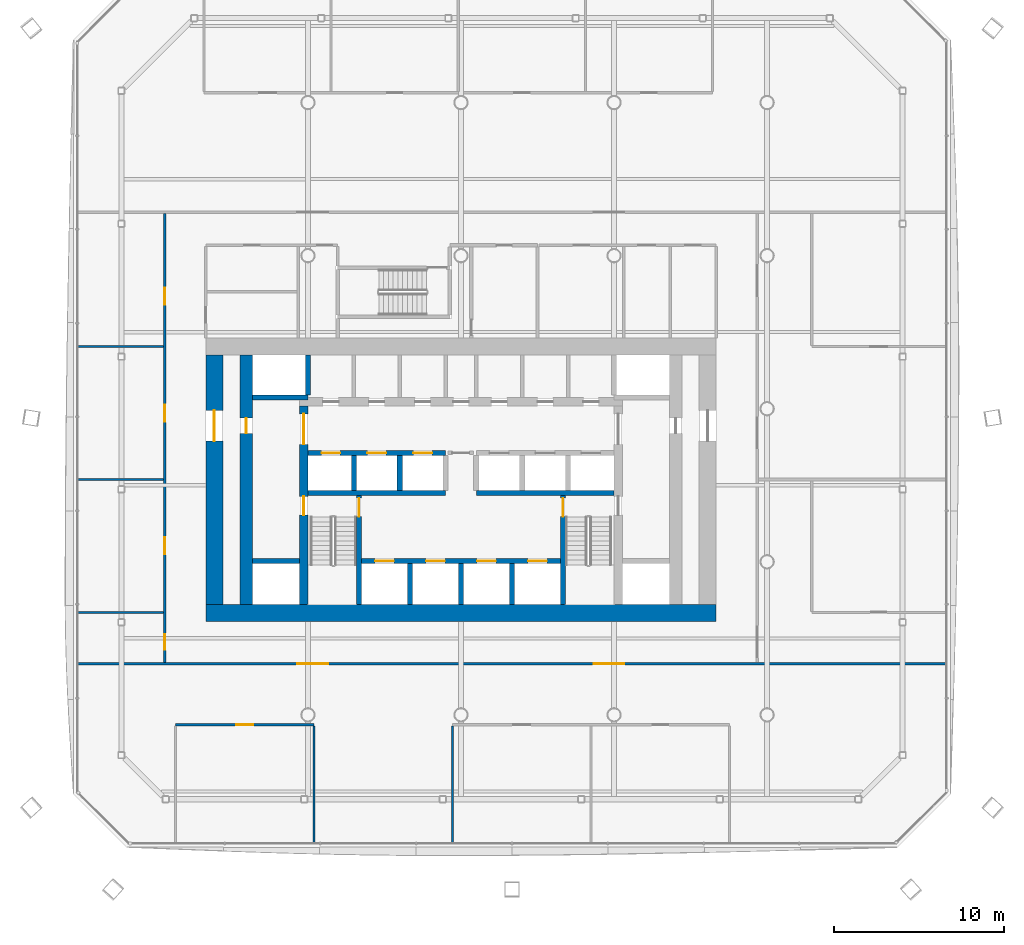
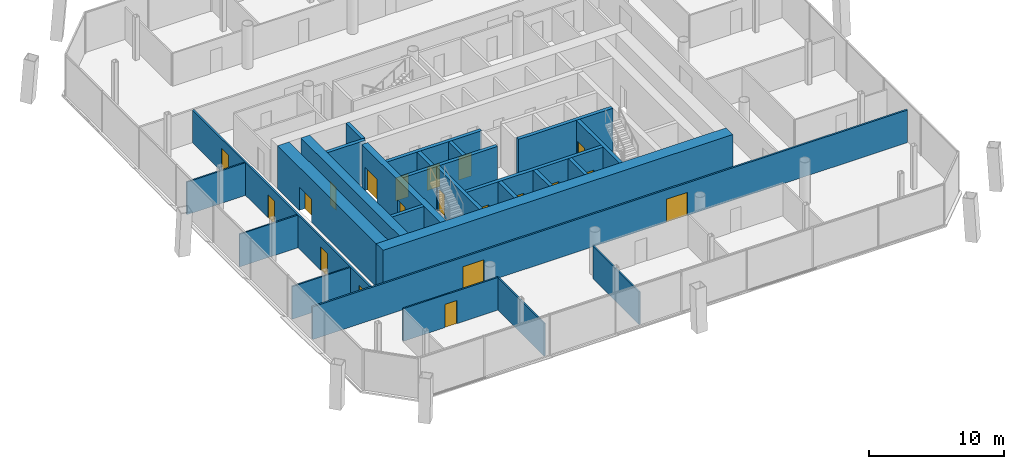
# One storey, part 12 of 20: 26 walls, 20 doors, 20 openings.
"""IFC4 building model written with IfcOpenShell, lengths in metres."""

from ifc_helpers import new_model, si_unit, direction, frame, frame_2d, origin, place, context, subcontext, project, spatial, rectangle, extrude, material, layer, layer_set, type_object, element, fill, save


model = new_model("IFC4")

# Units and contexts
model_context = context("Model", 3, precision=1e-05, world=origin(), true_north=direction((0.0, 1.0)))
body_context = subcontext(model_context, "Body", "Model", "MODEL_VIEW")
ifc_project = project(units=[si_unit("LENGTHUNIT", "METRE"), si_unit("AREAUNIT", "SQUARE_METRE"), si_unit("VOLUMEUNIT", "CUBIC_METRE"), si_unit("PLANEANGLEUNIT", "RADIAN"), si_unit("MASSUNIT", "GRAM", prefix="KILO")], contexts=[model_context])

# Site, building, storey
site_placement = place(None, origin())
site = spatial("IfcSite", under=ifc_project, at=site_placement, CompositionType="ELEMENT")
building_placement = place(site_placement, origin())
building = spatial("IfcBuilding", under=site, at=building_placement, Name="Tskaro Facet Tower", CompositionType="ELEMENT")
storey_placement = place(building_placement, frame((0.0, 0.0, 69.89990234375)))
storey = spatial("IfcBuildingStorey", under=building, at=storey_placement, Name="L16", CompositionType="ELEMENT", Elevation=69.89990234375)

# Wall
ifc_material_1 = material(Name="Concrete C60/75", Category="concrete")
ifc_layer_1 = layer(ifc_material_1, 0.300048828125, Name="Concrete C60/75")
ifc_layer_set_1 = layer_set([ifc_layer_1], Name="Concrete C60/75")
wall_type_1 = type_object("IfcWallType", Name="CORE-SHAFT", PredefinedType="SHEAR", material=ifc_layer_set_1)
wall_1_placement = place(storey_placement, frame((-12.25, -8.949951171875, 0.0), z_axis=(0.0, 0.0, 1.0), x_axis=(1.0, 0.0, 0.0)))
element("IfcWall", 1, at=wall_1_placement, inside=storey, type_object=wall_type_1, Name="Shaft wall W006", PredefinedType="SHEAR", context=body_context, shape_type="SweptSolid", body=[
    extrude(rectangle(XDim=2.75, YDim=0.300048828125, at=frame_2d((1.375, 0.0))), origin(), (0.0, 0.0, 1.0), 3.900146484375),
])

# Wall, openings, doors
wall_2_placement = place(storey_placement, frame((-5.85009765625, -8.949951171875, 0.0), z_axis=(0.0, 0.0, 1.0), x_axis=(1.0, 0.0, 0.0)))
wall_2 = element("IfcWall", 2, at=wall_2_placement, inside=storey, type_object=wall_type_1, Name="Shaft wall W007", PredefinedType="SHEAR", context=body_context, shape_type="SweptSolid", body=[
    extrude(rectangle(XDim=11.7001953125, YDim=0.300048828125, at=frame_2d((5.85009765625, 0.0))), origin(), (0.0, 0.0, 1.0), 3.900146484375),
])
opening_1_placement = place(wall_2_placement, frame((0.800048828125, 0.0, 0.0)))
opening_1 = element("IfcOpeningElement", 3, at=opening_1_placement, cuts=wall_2, Name="Opening LD-FF1", PredefinedType="OPENING", context=body_context, shape_type="SweptSolid", body=[
    extrude(rectangle(XDim=1.10009765625, YDim=2.10009765625, at=frame_2d((0.550048828125, 1.050048828125))), frame((0.0, 0.159912109375, 0.0), z_axis=(0.0, -1.0, 0.0), x_axis=(1.0, 0.0, 0.0)), (0.0, 0.0, 1.0), 0.320068359375),
])
opening_2_placement = place(wall_2_placement, frame((3.800048828125, 0.0, 0.0)))
opening_2 = element("IfcOpeningElement", 4, at=opening_2_placement, cuts=wall_2, Name="Opening LD-FF2", PredefinedType="OPENING", context=body_context, shape_type="SweptSolid", body=[
    extrude(rectangle(XDim=1.10009765625, YDim=2.10009765625, at=frame_2d((0.550048828125, 1.050048828125))), frame((0.0, 0.159912109375, 0.0), z_axis=(0.0, -1.0, 0.0), x_axis=(1.0, 0.0, 0.0)), (0.0, 0.0, 1.0), 0.320068359375),
])
opening_3_placement = place(wall_2_placement, frame((6.800048828125, 0.0, 0.0)))
opening_3 = element("IfcOpeningElement", 5, at=opening_3_placement, cuts=wall_2, Name="Opening LD-SV1", PredefinedType="OPENING", context=body_context, shape_type="SweptSolid", body=[
    extrude(rectangle(XDim=1.10009765625, YDim=2.10009765625, at=frame_2d((0.550048828125, 1.050048828125))), frame((0.0, 0.159912109375, 0.0), z_axis=(0.0, -1.0, 0.0), x_axis=(1.0, 0.0, 0.0)), (0.0, 0.0, 1.0), 0.320068359375),
])
opening_4_placement = place(wall_2_placement, frame((9.800048828125, 0.0, 0.0)))
opening_4 = element("IfcOpeningElement", 6, at=opening_4_placement, cuts=wall_2, Name="Opening LD-SV2", PredefinedType="OPENING", context=body_context, shape_type="SweptSolid", body=[
    extrude(rectangle(XDim=1.10009765625, YDim=2.10009765625, at=frame_2d((0.550048828125, 1.050048828125))), frame((0.0, 0.159912109375, 0.0), z_axis=(0.0, -1.0, 0.0), x_axis=(1.0, 0.0, 0.0)), (0.0, 0.0, 1.0), 0.320068359375),
])
ifc_material_2 = material(Name="Stainless steel", Category="steel")
door_type_1 = type_object("IfcDoorType", Name="D-LANDING", OperationType="NOTDEFINED", PredefinedType="DOOR", material=ifc_material_2)
door_1_placement = place(opening_1_placement, origin())
door_1 = element("IfcDoor", 7, at=door_1_placement, inside=storey, type_object=door_type_1, Name="Landing door FF1", OperationType="DOUBLE_DOOR_SLIDING", OverallHeight=2.10009765625, OverallWidth=1.10009765625, PredefinedType="DOOR", context=body_context, shape_type="SweptSolid", body=[
    extrude(rectangle(XDim=1.10009765625, YDim=2.10009765625, at=frame_2d((0.550048828125, 1.050048828125))), frame((0.0, 0.02490234375, 0.0), z_axis=(0.0, -1.0, 0.0), x_axis=(1.0, 0.0, 0.0)), (0.0, 0.0, 1.0), 0.050048828125),
])
fill(opening_1, door_1)
door_2_placement = place(opening_2_placement, origin())
door_2 = element("IfcDoor", 8, at=door_2_placement, inside=storey, type_object=door_type_1, Name="Landing door FF2", OperationType="DOUBLE_DOOR_SLIDING", OverallHeight=2.10009765625, OverallWidth=1.10009765625, PredefinedType="DOOR", context=body_context, shape_type="SweptSolid", body=[
    extrude(rectangle(XDim=1.10009765625, YDim=2.10009765625, at=frame_2d((0.550048828125, 1.050048828125))), frame((0.0, 0.02490234375, 0.0), z_axis=(0.0, -1.0, 0.0), x_axis=(1.0, 0.0, 0.0)), (0.0, 0.0, 1.0), 0.050048828125),
])
fill(opening_2, door_2)
door_3_placement = place(opening_3_placement, origin())
door_3 = element("IfcDoor", 9, at=door_3_placement, inside=storey, type_object=door_type_1, Name="Landing door SV1", OperationType="DOUBLE_DOOR_SLIDING", OverallHeight=2.10009765625, OverallWidth=1.10009765625, PredefinedType="DOOR", context=body_context, shape_type="SweptSolid", body=[
    extrude(rectangle(XDim=1.10009765625, YDim=2.10009765625, at=frame_2d((0.550048828125, 1.050048828125))), frame((0.0, 0.02490234375, 0.0), z_axis=(0.0, -1.0, 0.0), x_axis=(1.0, 0.0, 0.0)), (0.0, 0.0, 1.0), 0.050048828125),
])
fill(opening_3, door_3)
door_4_placement = place(opening_4_placement, origin())
door_4 = element("IfcDoor", 10, at=door_4_placement, inside=storey, type_object=door_type_1, Name="Landing door SV2", OperationType="DOUBLE_DOOR_SLIDING", OverallHeight=2.10009765625, OverallWidth=1.10009765625, PredefinedType="DOOR", context=body_context, shape_type="SweptSolid", body=[
    extrude(rectangle(XDim=1.10009765625, YDim=2.10009765625, at=frame_2d((0.550048828125, 1.050048828125))), frame((0.0, 0.02490234375, 0.0), z_axis=(0.0, -1.0, 0.0), x_axis=(1.0, 0.0, 0.0)), (0.0, 0.0, 1.0), 0.050048828125),
])
fill(opening_4, door_4)

# Walls
for number, where, z_axis, x_axis, name in (
    (11, (-9.0, -4.949951171875, 0.0), (0.0, 0.0, 1.0), (1.0, 0.0, 0.0), "Shaft wall W009"),
    (12, (0.89990234375, -4.949951171875, 0.0), (0.0, 0.0, 1.0), (1.0, 0.0, 0.0), "Shaft wall W010"),
):
    element("IfcWall", number, at=place(storey_placement, frame(where, z_axis=z_axis, x_axis=x_axis)), inside=storey, type_object=wall_type_1, Name=name, PredefinedType="SHEAR", context=body_context, shape_type="SweptSolid", body=[
        extrude(rectangle(XDim=8.10009765625, YDim=0.300048828125, at=frame_2d((4.050048828125, 0.0))), origin(), (0.0, 0.0, 1.0), 3.900146484375),
    ])

# Wall, openings, doors
wall_3_placement = place(storey_placement, frame((-9.0, -2.60009765625, 0.0), z_axis=(0.0, 0.0, 1.0), x_axis=(1.0, 0.0, 0.0)))
wall_3 = element("IfcWall", 13, at=wall_3_placement, inside=storey, type_object=wall_type_1, Name="Shaft wall W013", PredefinedType="SHEAR", context=body_context, shape_type="SweptSolid", body=[
    extrude(rectangle(XDim=8.10009765625, YDim=0.300048828125, at=frame_2d((4.050048828125, 0.0))), origin(), (0.0, 0.0, 1.0), 3.900146484375),
])
opening_5_placement = place(wall_3_placement, frame((0.800048828125, 0.0, 0.0)))
opening_5 = element("IfcOpeningElement", 14, at=opening_5_placement, cuts=wall_3, Name="Opening LD-LR1", PredefinedType="OPENING", context=body_context, shape_type="SweptSolid", body=[
    extrude(rectangle(XDim=1.10009765625, YDim=2.10009765625, at=frame_2d((0.550048828125, 1.050048828125))), frame((0.0, 0.159912109375, 0.0), z_axis=(0.0, -1.0, 0.0), x_axis=(1.0, 0.0, 0.0)), (0.0, 0.0, 1.0), 0.320068359375),
])
opening_6_placement = place(wall_3_placement, frame((3.5, 0.0, 0.0)))
opening_6 = element("IfcOpeningElement", 15, at=opening_6_placement, cuts=wall_3, Name="Opening LD-LR2", PredefinedType="OPENING", context=body_context, shape_type="SweptSolid", body=[
    extrude(rectangle(XDim=1.10009765625, YDim=2.10009765625, at=frame_2d((0.550048828125, 1.050048828125))), frame((0.0, 0.159912109375, 0.0), z_axis=(0.0, -1.0, 0.0), x_axis=(1.0, 0.0, 0.0)), (0.0, 0.0, 1.0), 0.320068359375),
])
opening_7_placement = place(wall_3_placement, frame((6.199951171875, 0.0, 0.0)))
opening_7 = element("IfcOpeningElement", 16, at=opening_7_placement, cuts=wall_3, Name="Opening LD-LR3", PredefinedType="OPENING", context=body_context, shape_type="SweptSolid", body=[
    extrude(rectangle(XDim=1.10009765625, YDim=2.10009765625, at=frame_2d((0.550048828125, 1.050048828125))), frame((0.0, 0.159912109375, 0.0), z_axis=(0.0, -1.0, 0.0), x_axis=(1.0, 0.0, 0.0)), (0.0, 0.0, 1.0), 0.320068359375),
])
door_5_placement = place(opening_5_placement, origin())
door_5 = element("IfcDoor", 17, at=door_5_placement, inside=storey, type_object=door_type_1, Name="Landing door LR1", OperationType="DOUBLE_DOOR_SLIDING", OverallHeight=2.10009765625, OverallWidth=1.10009765625, PredefinedType="DOOR", context=body_context, shape_type="SweptSolid", body=[
    extrude(rectangle(XDim=1.10009765625, YDim=2.10009765625, at=frame_2d((0.550048828125, 1.050048828125))), frame((0.0, 0.02490234375, 0.0), z_axis=(0.0, -1.0, 0.0), x_axis=(1.0, 0.0, 0.0)), (0.0, 0.0, 1.0), 0.050048828125),
])
fill(opening_5, door_5)
door_6_placement = place(opening_6_placement, origin())
door_6 = element("IfcDoor", 18, at=door_6_placement, inside=storey, type_object=door_type_1, Name="Landing door LR2", OperationType="DOUBLE_DOOR_SLIDING", OverallHeight=2.10009765625, OverallWidth=1.10009765625, PredefinedType="DOOR", context=body_context, shape_type="SweptSolid", body=[
    extrude(rectangle(XDim=1.10009765625, YDim=2.10009765625, at=frame_2d((0.550048828125, 1.050048828125))), frame((0.0, 0.02490234375, 0.0), z_axis=(0.0, -1.0, 0.0), x_axis=(1.0, 0.0, 0.0)), (0.0, 0.0, 1.0), 0.050048828125),
])
fill(opening_6, door_6)
door_7_placement = place(opening_7_placement, origin())
door_7 = element("IfcDoor", 19, at=door_7_placement, inside=storey, type_object=door_type_1, Name="Landing door LR3", OperationType="DOUBLE_DOOR_SLIDING", OverallHeight=2.10009765625, OverallWidth=1.10009765625, PredefinedType="DOOR", context=body_context, shape_type="SweptSolid", body=[
    extrude(rectangle(XDim=1.10009765625, YDim=2.10009765625, at=frame_2d((0.550048828125, 1.050048828125))), frame((0.0, 0.02490234375, 0.0), z_axis=(0.0, -1.0, 0.0), x_axis=(1.0, 0.0, 0.0)), (0.0, 0.0, 1.0), 0.050048828125),
])
fill(opening_7, door_7)

# Walls
wall_4_placement = place(storey_placement, frame((-9.0, 0.64990234375, 0.0), z_axis=(0.0, 0.0, 1.0), x_axis=(-1.0, 0.0, 0.0)))
element("IfcWall", 20, at=wall_4_placement, inside=storey, type_object=wall_type_1, Name="Shaft wall W016", PredefinedType="SHEAR", context=body_context, shape_type="SweptSolid", body=[
    extrude(rectangle(XDim=3.25, YDim=0.300048828125, at=frame_2d((1.625, 0.0))), origin(), (0.0, 0.0, 1.0), 3.900146484375),
])
wall_5_placement = place(storey_placement, frame((-9.0, 0.800048828125, 0.0), z_axis=(0.0, 0.0, 1.0), x_axis=(0.0, 1.0, 0.0)))
element("IfcWall", 21, at=wall_5_placement, inside=storey, type_object=wall_type_1, Name="Shaft wall W033", PredefinedType="SHEAR", context=body_context, shape_type="SweptSolid", body=[
    extrude(rectangle(XDim=2.349853515625, YDim=0.300048828125, at=frame_2d((1.1748046875, 0.0))), origin(), (0.0, 0.0, 1.0), 3.900146484375),
])
wall_6_placement = place(storey_placement, frame((-6.300048828125, -4.800048828125, 0.0), z_axis=(0.0, 0.0, 1.0), x_axis=(0.0, 1.0, 0.0)))
element("IfcWall", 22, at=wall_6_placement, inside=storey, type_object=wall_type_1, Name="Shaft wall W039", PredefinedType="SHEAR", context=body_context, shape_type="SweptSolid", body=[
    extrude(rectangle(XDim=2.050048828125, YDim=0.300048828125, at=frame_2d((1.02490234375, 0.0))), origin(), (0.0, 0.0, 1.0), 3.900146484375),
])

# Wall, opening, door
wall_7_placement = place(storey_placement, frame((-6.0, -11.5, 0.0), z_axis=(0.0, 0.0, 1.0), x_axis=(0.0, 1.0, 0.0)))
wall_7 = element("IfcWall", 23, at=wall_7_placement, inside=storey, type_object=wall_type_1, Name="Shaft wall W041", PredefinedType="SHEAR", context=body_context, shape_type="SweptSolid", body=[
    extrude(rectangle(XDim=6.39990234375, YDim=0.300048828125, at=frame_2d((3.199951171875, 0.0))), origin(), (0.0, 0.0, 1.0), 3.900146484375),
])
opening_8_placement = place(wall_7_placement, frame((5.14990234375, 0.0, 0.0)))
opening_8 = element("IfcOpeningElement", 24, at=opening_8_placement, cuts=wall_7, Name="Opening ST-1-D1", PredefinedType="OPENING", context=body_context, shape_type="SweptSolid", body=[
    extrude(rectangle(XDim=1.10009765625, YDim=2.10009765625, at=frame_2d((0.550048828125, 1.050048828125))), frame((0.0, 0.159912109375, 0.0), z_axis=(0.0, -1.0, 0.0), x_axis=(1.0, 0.0, 0.0)), (0.0, 0.0, 1.0), 0.320068359375),
])
ifc_material_3 = material(Name="Steel", Category="steel")
door_type_2 = type_object("IfcDoorType", Name="D-STAIR", OperationType="NOTDEFINED", PredefinedType="DOOR", material=ifc_material_3)
door_8_placement = place(opening_8_placement, origin())
door_8 = element("IfcDoor", 25, at=door_8_placement, inside=storey, type_object=door_type_2, Name="Stair door 1", OperationType="SINGLE_SWING_LEFT", OverallHeight=2.10009765625, OverallWidth=1.10009765625, PredefinedType="DOOR", context=body_context, shape_type="SweptSolid", body=[
    extrude(rectangle(XDim=1.10009765625, YDim=2.10009765625, at=frame_2d((0.550048828125, 1.050048828125))), frame((0.0, 0.02490234375, 0.0), z_axis=(0.0, -1.0, 0.0), x_axis=(1.0, 0.0, 0.0)), (0.0, 0.0, 1.0), 0.050048828125),
])
fill(opening_8, door_8)

# Walls
wall_8_placement = place(storey_placement, frame((-3.60009765625, -4.800048828125, 0.0), z_axis=(0.0, 0.0, 1.0), x_axis=(0.0, 1.0, 0.0)))
element("IfcWall", 26, at=wall_8_placement, inside=storey, type_object=wall_type_1, Name="Shaft wall W042", PredefinedType="SHEAR", context=body_context, shape_type="SweptSolid", body=[
    extrude(rectangle(XDim=2.050048828125, YDim=0.300048828125, at=frame_2d((1.02490234375, 0.0))), origin(), (0.0, 0.0, 1.0), 3.900146484375),
])
for number, where, z_axis, x_axis, name in (
    (27, (-3.0, -11.5, 0.0), (0.0, 0.0, 1.0), (0.0, 1.0, 0.0), "Shaft wall W044"),
    (28, (0.0, -11.5, 0.0), (0.0, 0.0, 1.0), (0.0, 1.0, 0.0), "Shaft wall W051"),
    (29, (3.0, -11.5, 0.0), (0.0, 0.0, 1.0), (0.0, 1.0, 0.0), "Shaft wall W055"),
):
    element("IfcWall", number, at=place(storey_placement, frame(where, z_axis=z_axis, x_axis=x_axis)), inside=storey, type_object=wall_type_1, Name=name, PredefinedType="SHEAR", context=body_context, shape_type="SweptSolid", body=[
        extrude(rectangle(XDim=2.39990234375, YDim=0.300048828125, at=frame_2d((1.199951171875, 0.0))), origin(), (0.0, 0.0, 1.0), 3.900146484375),
    ])

# Wall, opening, door
wall_9_placement = place(storey_placement, frame((6.0, -5.10009765625, 0.0), z_axis=(0.0, 0.0, 1.0), x_axis=(0.0, -1.0, 0.0)))
wall_9 = element("IfcWall", 30, at=wall_9_placement, inside=storey, type_object=wall_type_1, Name="Shaft wall W059", PredefinedType="SHEAR", context=body_context, shape_type="SweptSolid", body=[
    extrude(rectangle(XDim=6.39990234375, YDim=0.300048828125, at=frame_2d((3.199951171875, 0.0))), origin(), (0.0, 0.0, 1.0), 3.900146484375),
])
opening_9_placement = place(wall_9_placement, frame((0.14990234375, 0.0, 0.0)))
opening_9 = element("IfcOpeningElement", 31, at=opening_9_placement, cuts=wall_9, Name="Opening ST-2-D1", PredefinedType="OPENING", context=body_context, shape_type="SweptSolid", body=[
    extrude(rectangle(XDim=1.10009765625, YDim=2.10009765625, at=frame_2d((0.550048828125, 1.050048828125))), frame((0.0, 0.159912109375, 0.0), z_axis=(0.0, -1.0, 0.0), x_axis=(1.0, 0.0, 0.0)), (0.0, 0.0, 1.0), 0.320068359375),
])
door_9_placement = place(opening_9_placement, origin())
door_9 = element("IfcDoor", 32, at=door_9_placement, inside=storey, type_object=door_type_2, Name="Stair door 2", OperationType="SINGLE_SWING_RIGHT", OverallHeight=2.10009765625, OverallWidth=1.10009765625, PredefinedType="DOOR", context=body_context, shape_type="SweptSolid", body=[
    extrude(rectangle(XDim=1.10009765625, YDim=2.10009765625, at=frame_2d((0.550048828125, 1.050048828125))), frame((0.0, 0.02490234375, 0.0), z_axis=(0.0, -1.0, 0.0), x_axis=(1.0, 0.0, 0.0)), (0.0, 0.0, 1.0), 0.050048828125),
])
fill(opening_9, door_9)

# Wall
ifc_layer_2 = layer(ifc_material_1, 1.0, Name="Concrete C60/75")
ifc_layer_set_2 = layer_set([ifc_layer_2], Name="Concrete C60/75")
wall_type_2 = type_object("IfcWallType", Name="Core wall 1000", PredefinedType="SHEAR", material=ifc_layer_set_2)
wall_10_placement = place(storey_placement, frame((-15.0, -12.0, 0.0), z_axis=(0.0, 0.0, 1.0), x_axis=(1.0, 0.0, 0.0)))
element("IfcWall", 33, at=wall_10_placement, inside=storey, type_object=wall_type_2, Name="Core wall CW-Z1S", PredefinedType="SHEAR", context=body_context, shape_type="SweptSolid", body=[
    extrude(rectangle(XDim=30.0, YDim=1.0, at=frame_2d((15.0, 0.0))), origin(), (0.0, 0.0, 1.0), 3.900146484375),
])

# Wall, opening, door
wall_11_placement = place(storey_placement, frame((-14.5, -11.5, 0.0), z_axis=(0.0, 0.0, 1.0), x_axis=(0.0, 1.0, 0.0)))
wall_11 = element("IfcWall", 34, at=wall_11_placement, inside=storey, type_object=wall_type_2, Name="Core wall CW-Z1W", PredefinedType="SHEAR", context=body_context, shape_type="SweptSolid", body=[
    extrude(rectangle(XDim=14.64990234375, YDim=1.0, at=frame_2d((7.324951171875, 0.0))), origin(), (0.0, 0.0, 1.0), 3.900146484375),
])
opening_10_placement = place(wall_11_placement, frame((9.60009765625, 0.0, 0.0)))
opening_10 = element("IfcOpeningElement", 35, at=opening_10_placement, cuts=wall_11, Name="Opening T4-D15", PredefinedType="OPENING", context=body_context, shape_type="SweptSolid", body=[
    extrude(rectangle(XDim=1.800048828125, YDim=2.10009765625, at=frame_2d((0.89990234375, 1.050048828125))), frame((0.0, 0.510009765625, 0.0), z_axis=(0.0, -1.0, 0.0), x_axis=(1.0, 0.0, 0.0)), (0.0, 0.0, 1.0), 1.02001953125),
])
door_type_3 = type_object("IfcDoorType", Name="D-CORE-PAIR", OperationType="NOTDEFINED", PredefinedType="DOOR", material=ifc_material_3)
door_10_placement = place(opening_10_placement, origin())
door_10 = element("IfcDoor", 36, at=door_10_placement, inside=storey, type_object=door_type_3, Name="Door T4-D15", OperationType="DOUBLE_DOOR_SINGLE_SWING", OverallHeight=2.10009765625, OverallWidth=1.800048828125, PredefinedType="DOOR", context=body_context, shape_type="SweptSolid", body=[
    extrude(rectangle(XDim=1.800048828125, YDim=2.10009765625, at=frame_2d((0.89990234375, 1.050048828125))), frame((0.0, 0.02490234375, 0.0), z_axis=(0.0, -1.0, 0.0), x_axis=(1.0, 0.0, 0.0)), (0.0, 0.0, 1.0), 0.050048828125),
])
fill(opening_10, door_10)

# Wall, openings, doors
ifc_material_4 = material(Name="Concrete C40/50", Category="concrete")
ifc_layer_3 = layer(ifc_material_4, 0.5, Name="Concrete C40/50")
ifc_layer_set_3 = layer_set([ifc_layer_3], Name="Concrete C40/50")
wall_type_3 = type_object("IfcWallType", Name="Core wall 500", PredefinedType="SHEAR", material=ifc_layer_set_3)
wall_12_placement = place(storey_placement, frame((-9.25, -11.5, 0.0), z_axis=(0.0, 0.0, 1.0), x_axis=(0.0, 1.0, 0.0)))
wall_12 = element("IfcWall", 37, at=wall_12_placement, inside=storey, type_object=wall_type_3, Name="Core wall CW-Z3W", PredefinedType="SHEAR", context=body_context, shape_type="SweptSolid", body=[
    extrude(rectangle(XDim=11.64990234375, YDim=0.5, at=frame_2d((5.824951171875, 0.0))), origin(), (0.0, 0.0, 1.0), 3.900146484375),
])
opening_11_placement = place(wall_12_placement, frame((9.39990234375, 0.0, 0.0)))
opening_11 = element("IfcOpeningElement", 38, at=opening_11_placement, cuts=wall_12, Name="Opening T4-D13", PredefinedType="OPENING", context=body_context, shape_type="SweptSolid", body=[
    extrude(rectangle(XDim=1.800048828125, YDim=2.10009765625, at=frame_2d((0.89990234375, 1.050048828125))), frame((0.0, 0.260009765625, 0.0), z_axis=(0.0, -1.0, 0.0), x_axis=(1.0, 0.0, 0.0)), (0.0, 0.0, 1.0), 0.52001953125),
])
opening_12_placement = place(wall_12_placement, frame((5.25, 0.0, 0.0)))
opening_12 = element("IfcOpeningElement", 39, at=opening_12_placement, cuts=wall_12, Name="Opening ST-1-D2", PredefinedType="OPENING", context=body_context, shape_type="SweptSolid", body=[
    extrude(rectangle(XDim=1.10009765625, YDim=2.10009765625, at=frame_2d((0.550048828125, 1.050048828125))), frame((0.0, 0.260009765625, 0.0), z_axis=(0.0, -1.0, 0.0), x_axis=(1.0, 0.0, 0.0)), (0.0, 0.0, 1.0), 0.52001953125),
])
door_11_placement = place(opening_11_placement, origin())
door_11 = element("IfcDoor", 40, at=door_11_placement, inside=storey, type_object=door_type_3, Name="Door T4-D13", OperationType="DOUBLE_DOOR_SINGLE_SWING", OverallHeight=2.10009765625, OverallWidth=1.800048828125, PredefinedType="DOOR", context=body_context, shape_type="SweptSolid", body=[
    extrude(rectangle(XDim=1.800048828125, YDim=2.10009765625, at=frame_2d((0.89990234375, 1.050048828125))), frame((0.0, 0.02490234375, 0.0), z_axis=(0.0, -1.0, 0.0), x_axis=(1.0, 0.0, 0.0)), (0.0, 0.0, 1.0), 0.050048828125),
])
fill(opening_11, door_11)
door_12_placement = place(opening_12_placement, origin())
door_12 = element("IfcDoor", 41, at=door_12_placement, inside=storey, type_object=door_type_2, Name="Stair door 1 west", OperationType="SINGLE_SWING_LEFT", OverallHeight=2.10009765625, OverallWidth=1.10009765625, PredefinedType="DOOR", context=body_context, shape_type="SweptSolid", body=[
    extrude(rectangle(XDim=1.10009765625, YDim=2.10009765625, at=frame_2d((0.550048828125, 1.050048828125))), frame((0.0, 0.02490234375, 0.0), z_axis=(0.0, -1.0, 0.0), x_axis=(1.0, 0.0, 0.0)), (0.0, 0.0, 1.0), 0.050048828125),
])
fill(opening_12, door_12)

# Wall, opening, door
ifc_material_5 = material(Name="Concrete C50/60", Category="concrete")
ifc_layer_4 = layer(ifc_material_5, 0.75, Name="Concrete C50/60")
ifc_layer_set_4 = layer_set([ifc_layer_4], Name="Concrete C50/60")
wall_type_4 = type_object("IfcWallType", Name="Core wall 750", PredefinedType="SHEAR", material=ifc_layer_set_4)
wall_13_placement = place(storey_placement, frame((-12.625, -11.5, 0.0), z_axis=(0.0, 0.0, 1.0), x_axis=(0.0, 1.0, 0.0)))
wall_13 = element("IfcWall", 42, at=wall_13_placement, inside=storey, type_object=wall_type_4, Name="Core wall CW-Z2W", PredefinedType="SHEAR", context=body_context, shape_type="SweptSolid", body=[
    extrude(rectangle(XDim=14.64990234375, YDim=0.75, at=frame_2d((7.324951171875, 0.0))), origin(), (0.0, 0.0, 1.0), 3.900146484375),
])
opening_13_placement = place(wall_13_placement, frame((10.050048828125, 0.0, 0.0)))
opening_13 = element("IfcOpeningElement", 43, at=opening_13_placement, cuts=wall_13, Name="Opening T4-D16", PredefinedType="OPENING", context=body_context, shape_type="SweptSolid", body=[
    extrude(rectangle(XDim=0.89990234375, YDim=2.10009765625, at=frame_2d((0.449951171875, 1.050048828125))), frame((0.0, 0.385009765625, 0.0), z_axis=(0.0, -1.0, 0.0), x_axis=(1.0, 0.0, 0.0)), (0.0, 0.0, 1.0), 0.77001953125),
])
ifc_material_6 = material(Name="Timber", Category="wood")
door_type_4 = type_object("IfcDoorType", Name="D-ROOM", OperationType="NOTDEFINED", PredefinedType="DOOR", material=ifc_material_6)
door_13_placement = place(opening_13_placement, origin())
door_13 = element("IfcDoor", 44, at=door_13_placement, inside=storey, type_object=door_type_4, Name="Door T4-D16", OperationType="SINGLE_SWING_LEFT", OverallHeight=2.10009765625, OverallWidth=0.89990234375, PredefinedType="DOOR", context=body_context, shape_type="SweptSolid", body=[
    extrude(rectangle(XDim=0.89990234375, YDim=2.10009765625, at=frame_2d((0.449951171875, 1.050048828125))), frame((0.0, 0.02490234375, 0.0), z_axis=(0.0, -1.0, 0.0), x_axis=(1.0, 0.0, 0.0)), (0.0, 0.0, 1.0), 0.050048828125),
])
fill(opening_13, door_13)

ifc_material_7 = material(Name="Gypsum board on steel studs", Category="steel")
ifc_layer_5 = layer(ifc_material_7, 0.125, Name="Gypsum board on steel studs")
ifc_layer_set_5 = layer_set([ifc_layer_5], Name="Gypsum board on steel studs")
wall_type_5 = type_object("IfcWallType", Name="PART", PredefinedType="PARTITIONING", material=ifc_layer_set_5)
wall_14_placement = place(storey_placement, frame((-8.637939453125, -18.580078125, 0.0), z_axis=(0.0, 0.0, 1.0), x_axis=(-1.0, 0.0, 0.0)))
wall_14 = element("IfcWall", 45, at=wall_14_placement, inside=storey, type_object=wall_type_5, Name="Partition W001", PredefinedType="PARTITIONING", context=body_context, shape_type="SweptSolid", body=[
    extrude(rectangle(XDim=8.14599609375, YDim=0.125, at=frame_2d((4.072998046875, 0.0))), origin(), (0.0, 0.0, 1.0), 2.960205078125),
])
opening_14_placement = place(wall_14_placement, frame((3.572998046875, 0.0, 0.0)))
opening_14 = element("IfcOpeningElement", 46, at=opening_14_placement, cuts=wall_14, Name="Opening T4-D01", PredefinedType="OPENING", context=body_context, shape_type="SweptSolid", body=[
    extrude(rectangle(XDim=1.0, YDim=2.10009765625, at=frame_2d((0.5, 1.050048828125))), frame((0.0, 0.072509765625, 0.0), z_axis=(0.0, -1.0, 0.0), x_axis=(1.0, 0.0, 0.0)), (0.0, 0.0, 1.0), 0.14501953125),
])
door_type_5 = type_object("IfcDoorType", Name="D-ROOM-WIDE", OperationType="NOTDEFINED", PredefinedType="DOOR", material=ifc_material_6)
door_14_placement = place(opening_14_placement, origin())
door_14 = element("IfcDoor", 47, at=door_14_placement, inside=storey, type_object=door_type_5, Name="Door T4-D01", OperationType="SINGLE_SWING_RIGHT", OverallHeight=2.10009765625, OverallWidth=1.0, PredefinedType="DOOR", context=body_context, shape_type="SweptSolid", body=[
    extrude(rectangle(XDim=1.0, YDim=2.10009765625, at=frame_2d((0.5, 1.050048828125))), frame((0.0, 0.02490234375, 0.0), z_axis=(0.0, -1.0, 0.0), x_axis=(1.0, 0.0, 0.0)), (0.0, 0.0, 1.0), 0.050048828125),
])
fill(opening_14, door_14)

# Walls
for number, where, z_axis, x_axis, name in (
    (48, (-22.509033203125, -11.972900390625, 0.0), (0.0, 0.0, 1.0), (1.0, 0.0, 0.0), "Partition W004"),
    (49, (-22.509033203125, -4.162109375, 0.0), (0.0, 0.0, 1.0), (1.0, 0.0, 0.0), "Partition W011"),
    (50, (-22.509033203125, 3.64794921875, 0.0), (0.0, 0.0, 1.0), (1.0, 0.0, 0.0), "Partition W018"),
):
    element("IfcWall", number, at=place(storey_placement, frame(where, z_axis=z_axis, x_axis=x_axis)), inside=storey, type_object=wall_type_5, Name=name, PredefinedType="PARTITIONING", context=body_context, shape_type="SweptSolid", body=[
        extrude(rectangle(XDim=5.009033203125, YDim=0.125, at=frame_2d((2.50439453125, 0.0))), origin(), (0.0, 0.0, 1.0), 2.960205078125),
    ])
for number, where, z_axis, x_axis, name in (
    (51, (-8.637939453125, -25.509033203125, 0.0), (0.0, 0.0, 1.0), (0.0, 1.0, 0.0), "Partition W034"),
    (52, (-0.492919921875, -25.509033203125, 0.0), (0.0, 0.0, 1.0), (0.0, 1.0, 0.0), "Partition W049"),
):
    element("IfcWall", number, at=place(storey_placement, frame(where, z_axis=z_axis, x_axis=x_axis)), inside=storey, type_object=wall_type_5, Name=name, PredefinedType="PARTITIONING", context=body_context, shape_type="SweptSolid", body=[
        extrude(rectangle(XDim=6.866455078125, YDim=0.125, at=frame_2d((3.43310546875, 0.0))), origin(), (0.0, 0.0, 1.0), 2.960205078125),
    ])

# Wall, openings, doors
ifc_layer_6 = layer(ifc_material_7, 0.14990234375, Name="Gypsum board on steel studs")
ifc_layer_set_6 = layer_set([ifc_layer_6], Name="Gypsum board on steel studs")
wall_type_6 = type_object("IfcWallType", Name="PART-CORR", PredefinedType="PARTITIONING", material=ifc_layer_set_6)
wall_15_placement = place(storey_placement, frame((-22.509033203125, -15.0, 0.0), z_axis=(0.0, 0.0, 1.0), x_axis=(1.0, 0.0, 0.0)))
wall_15 = element("IfcWall", 53, at=wall_15_placement, inside=storey, type_object=wall_type_6, Name="Corridor wall W003", PredefinedType="PARTITIONING", context=body_context, shape_type="SweptSolid", body=[
    extrude(rectangle(XDim=51.01806640625, YDim=0.14990234375, at=frame_2d((25.509033203125, 0.0))), origin(), (0.0, 0.0, 1.0), 2.960205078125),
])
opening_15_placement = place(wall_15_placement, frame((12.89599609375, 0.0, 0.0)))
opening_15 = element("IfcOpeningElement", 54, at=opening_15_placement, cuts=wall_15, Name="Opening T4-D04", PredefinedType="OPENING", context=body_context, shape_type="SweptSolid", body=[
    extrude(rectangle(XDim=1.800048828125, YDim=2.10009765625, at=frame_2d((0.89990234375, 1.050048828125))), frame((0.0, 0.0849609375, 0.0), z_axis=(0.0, -1.0, 0.0), x_axis=(1.0, 0.0, 0.0)), (0.0, 0.0, 1.0), 0.169921875),
])
opening_16_placement = place(wall_15_placement, frame((30.322021484375, 0.0, 0.0)))
opening_16 = element("IfcOpeningElement", 55, at=opening_16_placement, cuts=wall_15, Name="Opening T4-D05", PredefinedType="OPENING", context=body_context, shape_type="SweptSolid", body=[
    extrude(rectangle(XDim=1.800048828125, YDim=2.10009765625, at=frame_2d((0.89990234375, 1.050048828125))), frame((0.0, 0.0849609375, 0.0), z_axis=(0.0, -1.0, 0.0), x_axis=(1.0, 0.0, 0.0)), (0.0, 0.0, 1.0), 0.169921875),
])
ifc_material_8 = material(Name="Glass", Category="glass")
door_type_6 = type_object("IfcDoorType", Name="D-ENTRY-PAIR", OperationType="NOTDEFINED", PredefinedType="DOOR", material=ifc_material_8)
door_15_placement = place(opening_15_placement, origin())
door_15 = element("IfcDoor", 56, at=door_15_placement, inside=storey, type_object=door_type_6, Name="Door T4-D04", OperationType="DOUBLE_DOOR_SINGLE_SWING", OverallHeight=2.10009765625, OverallWidth=1.800048828125, PredefinedType="DOOR", context=body_context, shape_type="SweptSolid", body=[
    extrude(rectangle(XDim=1.800048828125, YDim=2.10009765625, at=frame_2d((0.89990234375, 1.050048828125))), frame((0.0, 0.02490234375, 0.0), z_axis=(0.0, -1.0, 0.0), x_axis=(1.0, 0.0, 0.0)), (0.0, 0.0, 1.0), 0.050048828125),
])
fill(opening_15, door_15)
door_16_placement = place(opening_16_placement, origin())
door_16 = element("IfcDoor", 57, at=door_16_placement, inside=storey, type_object=door_type_6, Name="Door T4-D05", OperationType="DOUBLE_DOOR_SINGLE_SWING", OverallHeight=2.10009765625, OverallWidth=1.800048828125, PredefinedType="DOOR", context=body_context, shape_type="SweptSolid", body=[
    extrude(rectangle(XDim=1.800048828125, YDim=2.10009765625, at=frame_2d((0.89990234375, 1.050048828125))), frame((0.0, 0.02490234375, 0.0), z_axis=(0.0, -1.0, 0.0), x_axis=(1.0, 0.0, 0.0)), (0.0, 0.0, 1.0), 0.050048828125),
])
fill(opening_16, door_16)

wall_16_placement = place(storey_placement, frame((-17.425048828125, -14.925048828125, 0.0), z_axis=(0.0, 0.0, 1.0), x_axis=(0.0, 1.0, 0.0)))
wall_16 = element("IfcWall", 58, at=wall_16_placement, inside=storey, type_object=wall_type_6, Name="Corridor wall W028", PredefinedType="PARTITIONING", context=body_context, shape_type="SweptSolid", body=[
    extrude(rectangle(XDim=26.405029296875, YDim=0.14990234375, at=frame_2d((13.20263671875, 0.0))), origin(), (0.0, 0.0, 1.0), 2.960205078125),
])
opening_17_placement = place(wall_16_placement, frame((0.762451171875, 0.0, 0.0)))
opening_17 = element("IfcOpeningElement", 59, at=opening_17_placement, cuts=wall_16, Name="Opening T4-D06", PredefinedType="OPENING", context=body_context, shape_type="SweptSolid", body=[
    extrude(rectangle(XDim=0.89990234375, YDim=2.10009765625, at=frame_2d((0.449951171875, 1.050048828125))), frame((0.0, 0.0849609375, 0.0), z_axis=(0.0, -1.0, 0.0), x_axis=(1.0, 0.0, 0.0)), (0.0, 0.0, 1.0), 0.169921875),
])
opening_18_placement = place(wall_16_placement, frame((6.357421875, 0.0, 0.0)))
opening_18 = element("IfcOpeningElement", 60, at=opening_18_placement, cuts=wall_16, Name="Opening T4-D11", PredefinedType="OPENING", context=body_context, shape_type="SweptSolid", body=[
    extrude(rectangle(XDim=1.0, YDim=2.10009765625, at=frame_2d((0.5, 1.050048828125))), frame((0.0, 0.0849609375, 0.0), z_axis=(0.0, -1.0, 0.0), x_axis=(1.0, 0.0, 0.0)), (0.0, 0.0, 1.0), 0.169921875),
])
opening_19_placement = place(wall_16_placement, frame((14.16796875, 0.0, 0.0)))
opening_19 = element("IfcOpeningElement", 61, at=opening_19_placement, cuts=wall_16, Name="Opening T4-D19", PredefinedType="OPENING", context=body_context, shape_type="SweptSolid", body=[
    extrude(rectangle(XDim=1.0, YDim=2.10009765625, at=frame_2d((0.5, 1.050048828125))), frame((0.0, 0.0849609375, 0.0), z_axis=(0.0, -1.0, 0.0), x_axis=(1.0, 0.0, 0.0)), (0.0, 0.0, 1.0), 0.169921875),
])
opening_20_placement = place(wall_16_placement, frame((21.051513671875, 0.0, 0.0)))
opening_20 = element("IfcOpeningElement", 62, at=opening_20_placement, cuts=wall_16, Name="Opening T4-D32", PredefinedType="OPENING", context=body_context, shape_type="SweptSolid", body=[
    extrude(rectangle(XDim=1.0, YDim=2.10009765625, at=frame_2d((0.5, 1.050048828125))), frame((0.0, 0.0849609375, 0.0), z_axis=(0.0, -1.0, 0.0), x_axis=(1.0, 0.0, 0.0)), (0.0, 0.0, 1.0), 0.169921875),
])
door_17_placement = place(opening_17_placement, origin())
door_17 = element("IfcDoor", 63, at=door_17_placement, inside=storey, type_object=door_type_4, Name="Door T4-D06", OperationType="SINGLE_SWING_LEFT", OverallHeight=2.10009765625, OverallWidth=0.89990234375, PredefinedType="DOOR", context=body_context, shape_type="SweptSolid", body=[
    extrude(rectangle(XDim=0.89990234375, YDim=2.10009765625, at=frame_2d((0.449951171875, 1.050048828125))), frame((0.0, 0.02490234375, 0.0), z_axis=(0.0, -1.0, 0.0), x_axis=(1.0, 0.0, 0.0)), (0.0, 0.0, 1.0), 0.050048828125),
])
fill(opening_17, door_17)
door_18_placement = place(opening_18_placement, origin())
door_18 = element("IfcDoor", 64, at=door_18_placement, inside=storey, type_object=door_type_5, Name="Door T4-D11", OperationType="SINGLE_SWING_LEFT", OverallHeight=2.10009765625, OverallWidth=1.0, PredefinedType="DOOR", context=body_context, shape_type="SweptSolid", body=[
    extrude(rectangle(XDim=1.0, YDim=2.10009765625, at=frame_2d((0.5, 1.050048828125))), frame((0.0, 0.02490234375, 0.0), z_axis=(0.0, -1.0, 0.0), x_axis=(1.0, 0.0, 0.0)), (0.0, 0.0, 1.0), 0.050048828125),
])
fill(opening_18, door_18)
door_19_placement = place(opening_19_placement, origin())
door_19 = element("IfcDoor", 65, at=door_19_placement, inside=storey, type_object=door_type_5, Name="Door T4-D19", OperationType="SINGLE_SWING_LEFT", OverallHeight=2.10009765625, OverallWidth=1.0, PredefinedType="DOOR", context=body_context, shape_type="SweptSolid", body=[
    extrude(rectangle(XDim=1.0, YDim=2.10009765625, at=frame_2d((0.5, 1.050048828125))), frame((0.0, 0.02490234375, 0.0), z_axis=(0.0, -1.0, 0.0), x_axis=(1.0, 0.0, 0.0)), (0.0, 0.0, 1.0), 0.050048828125),
])
fill(opening_19, door_19)
door_20_placement = place(opening_20_placement, origin())
door_20 = element("IfcDoor", 66, at=door_20_placement, inside=storey, type_object=door_type_5, Name="Door T4-D32", OperationType="SINGLE_SWING_LEFT", OverallHeight=2.10009765625, OverallWidth=1.0, PredefinedType="DOOR", context=body_context, shape_type="SweptSolid", body=[
    extrude(rectangle(XDim=1.0, YDim=2.10009765625, at=frame_2d((0.5, 1.050048828125))), frame((0.0, 0.02490234375, 0.0), z_axis=(0.0, -1.0, 0.0), x_axis=(1.0, 0.0, 0.0)), (0.0, 0.0, 1.0), 0.050048828125),
])
fill(opening_20, door_20)

save(model, "model.ifc")
